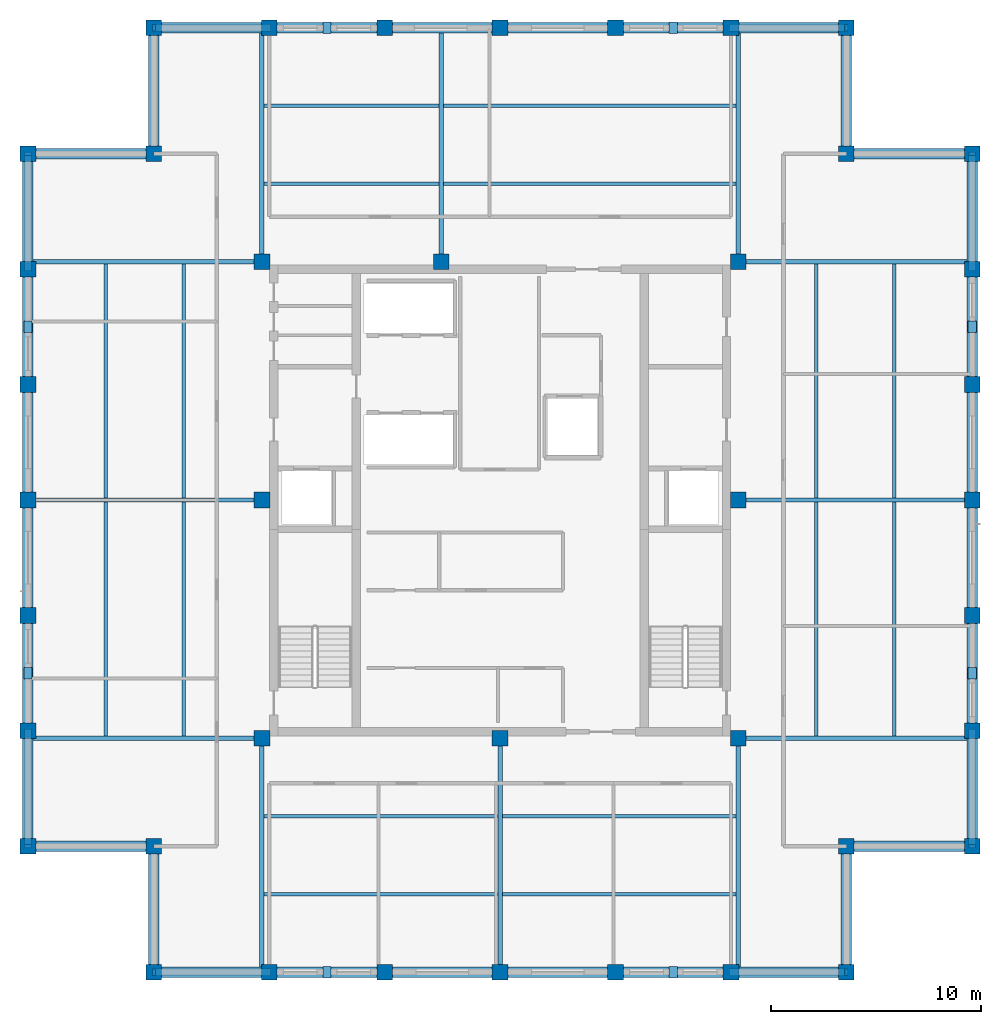
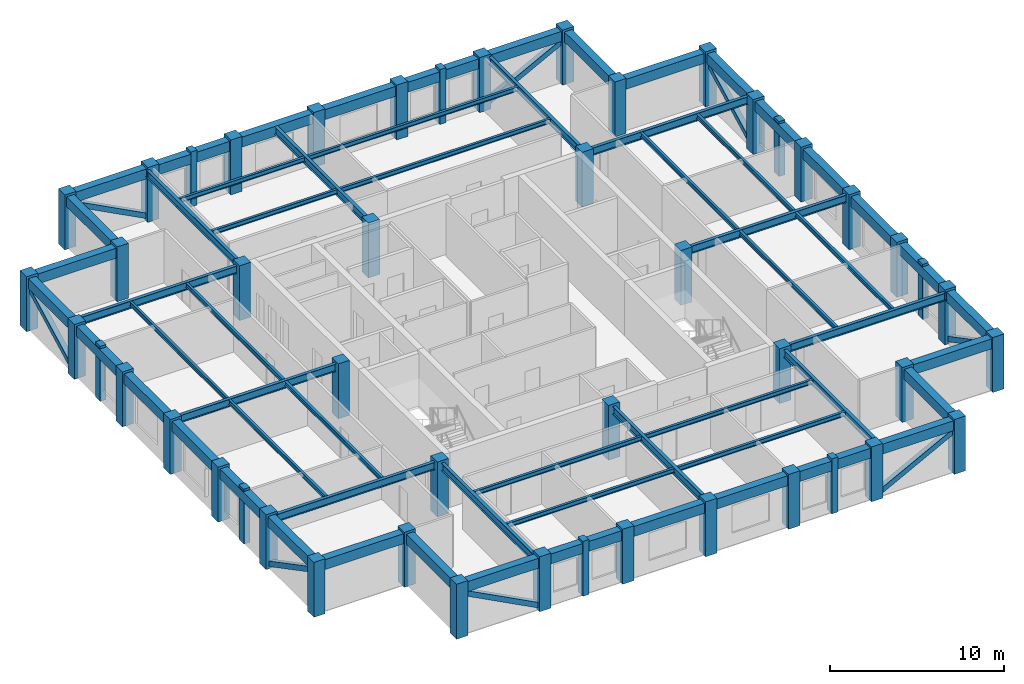
# One storey, part 1 of 9: 60 beams, 40 columns, 16 members.
"""IFC4 building model written with IfcOpenShell, lengths in metres."""

from ifc_helpers import new_model, si_unit, direction, frame, origin, origin_2d, place, context, subcontext, project, spatial, rectangle, hollow_rectangle, i_section, extrude, material, material_profile, profile_set, type_object, element, save


model = new_model("IFC4")

# Units and contexts
model_context = context("Model", 3, precision=1e-05, world=origin(), true_north=direction((0.0, 1.0)))
body_context = subcontext(model_context, "Body", "Model", "MODEL_VIEW")
ifc_project = project(units=[si_unit("LENGTHUNIT", "METRE"), si_unit("AREAUNIT", "SQUARE_METRE"), si_unit("VOLUMEUNIT", "CUBIC_METRE"), si_unit("PLANEANGLEUNIT", "RADIAN"), si_unit("MASSUNIT", "GRAM", prefix="KILO")], contexts=[model_context])

# Site, building, storey
site_placement = place(None, origin())
site = spatial("IfcSite", under=ifc_project, at=site_placement, CompositionType="ELEMENT")
building_placement = place(site_placement, origin())
building = spatial("IfcBuilding", under=site, at=building_placement, Name="Nhamokura Convention Tower", CompositionType="ELEMENT")
storey_placement = place(building_placement, frame((0.0, 0.0, 269.85009765625)))
storey = spatial("IfcBuildingStorey", under=building, at=storey_placement, Name="L66", CompositionType="ELEMENT", Elevation=269.85009765625)

# Columns
ifc_material_1 = material(Name="Concrete C50/60", Category="concrete")
ifc_material_profile_1 = material_profile(ifc_material_1, rectangle(XDim=0.75, YDim=0.75, at=origin_2d()))
ifc_profile_set_1 = profile_set([ifc_material_profile_1], Name="Concrete C50/60")
column_type = type_object("IfcColumnType", Name="TubeColumn_Z4_750", PredefinedType="COLUMN", material=ifc_profile_set_1)
for number, where, z_axis, x_axis, name in (
    (1, (20.64990234375, 20.64990234375, 0.0), (0.0, 0.0, 1.0), (1.0, 0.0, 0.0), "L66 Core Column CC-SW"),
    (2, (32.0, 20.64990234375, 0.0), (0.0, 0.0, 1.0), (1.0, 0.0, 0.0), "L66 Core Column CC-S"),
    (3, (43.35009765625, 20.64990234375, 0.0), (0.0, 0.0, 1.0), (1.0, 0.0, 0.0), "L66 Core Column CC-SE"),
    (4, (43.35009765625, 32.0, 0.0), (0.0, 0.0, 1.0), (1.0, 0.0, 0.0), "L66 Core Column CC-E"),
    (5, (43.35009765625, 43.35009765625, 0.0), (0.0, 0.0, 1.0), (1.0, 0.0, 0.0), "L66 Core Column CC-NE"),
    (6, (29.199951171875, 43.35009765625, 0.0), (0.0, 0.0, 1.0), (1.0, 0.0, 0.0), "L66 Core Column CC-N"),
    (7, (20.64990234375, 43.35009765625, 0.0), (0.0, 0.0, 1.0), (1.0, 0.0, 0.0), "L66 Core Column CC-NW"),
    (8, (20.64990234375, 32.0, 0.0), (0.0, 0.0, 1.0), (1.0, 0.0, 0.0), "L66 Core Column CC-W"),
    (9, (15.5, 9.5, 0.0), (0.0, 0.0, 1.0), (1.0, 0.0, 0.0), "L66 Perimeter Tube Column SW1"),
    (10, (15.5, 15.5, 0.0), (0.0, 0.0, 1.0), (1.0, 0.0, 0.0), "L66 Perimeter Tube Column SW0"),
    (11, (9.5, 15.5, 0.0), (0.0, 0.0, 1.0), (1.0, 0.0, 0.0), "L66 Perimeter Tube Column SW2"),
    (12, (48.5, 9.5, 0.0), (0.0, 0.0, 1.0), (1.0, 0.0, 0.0), "L66 Perimeter Tube Column SE1"),
    (13, (48.5, 15.5, 0.0), (0.0, 0.0, 1.0), (1.0, 0.0, 0.0), "L66 Perimeter Tube Column SE0"),
    (14, (54.5, 15.5, 0.0), (0.0, 0.0, 1.0), (1.0, 0.0, 0.0), "L66 Perimeter Tube Column SE2"),
    (15, (54.5, 48.5, 0.0), (0.0, 0.0, 1.0), (1.0, 0.0, 0.0), "L66 Perimeter Tube Column NE1"),
    (16, (48.5, 48.5, 0.0), (0.0, 0.0, 1.0), (1.0, 0.0, 0.0), "L66 Perimeter Tube Column NE0"),
    (17, (48.5, 54.5, 0.0), (0.0, 0.0, 1.0), (1.0, 0.0, 0.0), "L66 Perimeter Tube Column NE2"),
    (18, (15.5, 54.5, 0.0), (0.0, 0.0, 1.0), (1.0, 0.0, 0.0), "L66 Perimeter Tube Column NW1"),
    (19, (15.5, 48.5, 0.0), (0.0, 0.0, 1.0), (1.0, 0.0, 0.0), "L66 Perimeter Tube Column NW0"),
    (20, (9.5, 48.5, 0.0), (0.0, 0.0, 1.0), (1.0, 0.0, 0.0), "L66 Perimeter Tube Column NW2"),
    (21, (21.0, 9.5, 0.0), (0.0, 0.0, 1.0), (1.0, 0.0, 0.0), "L66 Perimeter Tube Column S1"),
    (22, (21.0, 54.5, 0.0), (0.0, 0.0, 1.0), (1.0, 0.0, 0.0), "L66 Perimeter Tube Column N1"),
    (23, (9.5, 21.0, 0.0), (0.0, 0.0, 1.0), (1.0, 0.0, 0.0), "L66 Perimeter Tube Column W1"),
    (24, (54.5, 21.0, 0.0), (0.0, 0.0, 1.0), (1.0, 0.0, 0.0), "L66 Perimeter Tube Column E1"),
    (25, (26.5, 9.5, 0.0), (0.0, 0.0, 1.0), (1.0, 0.0, 0.0), "L66 Perimeter Tube Column S2"),
    (26, (26.5, 54.5, 0.0), (0.0, 0.0, 1.0), (1.0, 0.0, 0.0), "L66 Perimeter Tube Column N2"),
    (27, (9.5, 26.5, 0.0), (0.0, 0.0, 1.0), (1.0, 0.0, 0.0), "L66 Perimeter Tube Column W2"),
    (28, (54.5, 26.5, 0.0), (0.0, 0.0, 1.0), (1.0, 0.0, 0.0), "L66 Perimeter Tube Column E2"),
    (29, (32.0, 9.5, 0.0), (0.0, 0.0, 1.0), (1.0, 0.0, 0.0), "L66 Perimeter Tube Column S3"),
    (30, (32.0, 54.5, 0.0), (0.0, 0.0, 1.0), (1.0, 0.0, 0.0), "L66 Perimeter Tube Column N3"),
    (31, (9.5, 32.0, 0.0), (0.0, 0.0, 1.0), (1.0, 0.0, 0.0), "L66 Perimeter Tube Column W3"),
    (32, (54.5, 32.0, 0.0), (0.0, 0.0, 1.0), (1.0, 0.0, 0.0), "L66 Perimeter Tube Column E3"),
    (33, (37.5, 9.5, 0.0), (0.0, 0.0, 1.0), (1.0, 0.0, 0.0), "L66 Perimeter Tube Column S4"),
    (34, (37.5, 54.5, 0.0), (0.0, 0.0, 1.0), (1.0, 0.0, 0.0), "L66 Perimeter Tube Column N4"),
    (35, (9.5, 37.5, 0.0), (0.0, 0.0, 1.0), (1.0, 0.0, 0.0), "L66 Perimeter Tube Column W4"),
    (36, (54.5, 37.5, 0.0), (0.0, 0.0, 1.0), (1.0, 0.0, 0.0), "L66 Perimeter Tube Column E4"),
    (37, (43.0, 9.5, 0.0), (0.0, 0.0, 1.0), (1.0, 0.0, 0.0), "L66 Perimeter Tube Column S5"),
    (38, (43.0, 54.5, 0.0), (0.0, 0.0, 1.0), (1.0, 0.0, 0.0), "L66 Perimeter Tube Column N5"),
    (39, (9.5, 43.0, 0.0), (0.0, 0.0, 1.0), (1.0, 0.0, 0.0), "L66 Perimeter Tube Column W5"),
    (40, (54.5, 43.0, 0.0), (0.0, 0.0, 1.0), (1.0, 0.0, 0.0), "L66 Perimeter Tube Column E5"),
):
    element("IfcColumn", number, at=place(storey_placement, frame(where, z_axis=z_axis, x_axis=x_axis)), inside=storey, type_object=column_type, Name=name, PredefinedType="COLUMN", context=body_context, shape_type="SweptSolid", body=[
        extrude(rectangle(XDim=0.75, YDim=0.75, at=origin_2d()), origin(), (0.0, 0.0, 1.0), 3.849853515625),
    ])

# Members
ifc_material_2 = material(Name="Bronze-pigmented precast concrete C45/55", Category="concrete")
ifc_material_profile_2 = material_profile(ifc_material_2, rectangle(XDim=0.39990234375, YDim=0.550048828125, at=origin_2d()))
ifc_profile_set_2 = profile_set([ifc_material_profile_2], Name="Bronze-pigmented precast concrete C45/55")
member_type_1 = type_object("IfcMemberType", Name="BronzePilaster_550", PredefinedType="USERDEFINED", material=ifc_profile_set_2)
for number, where, z_axis, x_axis, name in (
    (41, (23.75, 9.5, 0.0), (0.0, 0.0, 1.0), (1.0, 0.0, 0.0), "L66 Engaged Frame Pilaster SOUTH 1"),
    (42, (40.25, 9.5, 0.0), (0.0, 0.0, 1.0), (1.0, 0.0, 0.0), "L66 Engaged Frame Pilaster SOUTH 4"),
    (43, (23.75, 54.5, 0.0), (0.0, 0.0, 1.0), (1.0, 0.0, 0.0), "L66 Engaged Frame Pilaster NORTH 1"),
    (44, (40.25, 54.5, 0.0), (0.0, 0.0, 1.0), (1.0, 0.0, 0.0), "L66 Engaged Frame Pilaster NORTH 4"),
    (45, (9.5, 23.75, 0.0), (0.0, 0.0, 1.0), (1.0, 0.0, 0.0), "L66 Engaged Frame Pilaster WEST 1"),
    (46, (9.5, 40.25, 0.0), (0.0, 0.0, 1.0), (1.0, 0.0, 0.0), "L66 Engaged Frame Pilaster WEST 4"),
    (47, (54.5, 23.75, 0.0), (0.0, 0.0, 1.0), (1.0, 0.0, 0.0), "L66 Engaged Frame Pilaster EAST 1"),
    (48, (54.5, 40.25, 0.0), (0.0, 0.0, 1.0), (1.0, 0.0, 0.0), "L66 Engaged Frame Pilaster EAST 4"),
):
    element("IfcMember", number, at=place(storey_placement, frame(where, z_axis=z_axis, x_axis=x_axis)), inside=storey, type_object=member_type_1, Name=name, ObjectType="PILASTER_TRIM", PredefinedType="USERDEFINED", context=body_context, shape_type="SweptSolid", body=[
        extrude(rectangle(XDim=0.39990234375, YDim=0.550048828125, at=origin_2d()), origin(), (0.0, 0.0, 1.0), 3.849853515625),
    ])

# Beams
ifc_material_3 = material(Name="Steel ASTM A992 Gr 50", Category="steel")
ifc_material_profile_3 = material_profile(ifc_material_3, i_section(OverallWidth=0.166015625, OverallDepth=0.31298828125, WebThickness=0.006591796875, FlangeThickness=0.01123046875, at=origin_2d()))
ifc_profile_set_3 = profile_set([ifc_material_profile_3], Name="Steel ASTM A992 Gr 50")
beam_type_1 = type_object("IfcBeamType", Name="FloorJoist_W310X45", PredefinedType="JOIST", material=ifc_profile_set_3)
for number, where, z_axis, x_axis, name in (
    (49, (20.75244140625, 13.216796875, 3.5283203125), (1.0, 0.0, 0.0), (0.0, 1.0, 0.0), "L66 Composite Floor Joist S1A"),
    (50, (32.1025390625, 13.216796875, 3.5283203125), (1.0, 0.0, 0.0), (0.0, 1.0, 0.0), "L66 Composite Floor Joist S1B"),
    (51, (20.75244140625, 16.933349609375, 3.5283203125), (1.0, 0.0, 0.0), (0.0, 1.0, 0.0), "L66 Composite Floor Joist S2A"),
    (52, (32.1025390625, 16.933349609375, 3.5283203125), (1.0, 0.0, 0.0), (0.0, 1.0, 0.0), "L66 Composite Floor Joist S2B"),
):
    element("IfcBeam", number, at=place(storey_placement, frame(where, z_axis=z_axis, x_axis=x_axis)), inside=storey, type_object=beam_type_1, Name=name, PredefinedType="JOIST", context=body_context, shape_type="SweptSolid", body=[
        extrude(i_section(OverallWidth=0.166015625, OverallDepth=0.31298828125, WebThickness=0.006591796875, FlangeThickness=0.01123046875, at=origin_2d()), origin(), (0.0, 0.0, 1.0), 11.14501953125),
    ])
beam_1_placement = place(storey_placement, frame((20.75244140625, 47.066650390625, 3.5283203125), z_axis=(1.0, 0.0, 0.0), x_axis=(0.0, 1.0, 0.0)))
element("IfcBeam", 53, at=beam_1_placement, inside=storey, type_object=beam_type_1, Name="L66 Composite Floor Joist N1A", PredefinedType="JOIST", context=body_context, shape_type="SweptSolid", body=[
    extrude(i_section(OverallWidth=0.166015625, OverallDepth=0.31298828125, WebThickness=0.006591796875, FlangeThickness=0.01123046875, at=origin_2d()), origin(), (0.0, 0.0, 1.0), 8.344970703125),
])
beam_2_placement = place(storey_placement, frame((29.302490234375, 47.066650390625, 3.5283203125), z_axis=(1.0, 0.0, 0.0), x_axis=(0.0, 1.0, 0.0)))
element("IfcBeam", 54, at=beam_2_placement, inside=storey, type_object=beam_type_1, Name="L66 Composite Floor Joist N1B", PredefinedType="JOIST", context=body_context, shape_type="SweptSolid", body=[
    extrude(i_section(OverallWidth=0.166015625, OverallDepth=0.31298828125, WebThickness=0.006591796875, FlangeThickness=0.01123046875, at=origin_2d()), origin(), (0.0, 0.0, 1.0), 13.945068359375),
])
beam_3_placement = place(storey_placement, frame((20.75244140625, 50.783203125, 3.5283203125), z_axis=(1.0, 0.0, 0.0), x_axis=(0.0, 1.0, 0.0)))
element("IfcBeam", 55, at=beam_3_placement, inside=storey, type_object=beam_type_1, Name="L66 Composite Floor Joist N2A", PredefinedType="JOIST", context=body_context, shape_type="SweptSolid", body=[
    extrude(i_section(OverallWidth=0.166015625, OverallDepth=0.31298828125, WebThickness=0.006591796875, FlangeThickness=0.01123046875, at=origin_2d()), origin(), (0.0, 0.0, 1.0), 8.344970703125),
])
beam_4_placement = place(storey_placement, frame((29.302490234375, 50.783203125, 3.5283203125), z_axis=(1.0, 0.0, 0.0), x_axis=(0.0, 1.0, 0.0)))
element("IfcBeam", 56, at=beam_4_placement, inside=storey, type_object=beam_type_1, Name="L66 Composite Floor Joist N2B", PredefinedType="JOIST", context=body_context, shape_type="SweptSolid", body=[
    extrude(i_section(OverallWidth=0.166015625, OverallDepth=0.31298828125, WebThickness=0.006591796875, FlangeThickness=0.01123046875, at=origin_2d()), origin(), (0.0, 0.0, 1.0), 13.945068359375),
])
for number, where, z_axis, x_axis, name in (
    (57, (13.216796875, 20.75244140625, 3.5283203125), (0.0, 1.0, 0.0), (-1.0, 0.0, 0.0), "L66 Composite Floor Joist W1A"),
    (58, (13.216796875, 32.1025390625, 3.5283203125), (0.0, 1.0, 0.0), (-1.0, 0.0, 0.0), "L66 Composite Floor Joist W1B"),
    (59, (16.933349609375, 20.75244140625, 3.5283203125), (0.0, 1.0, 0.0), (-1.0, 0.0, 0.0), "L66 Composite Floor Joist W2A"),
    (60, (16.933349609375, 32.1025390625, 3.5283203125), (0.0, 1.0, 0.0), (-1.0, 0.0, 0.0), "L66 Composite Floor Joist W2B"),
    (61, (47.066650390625, 20.75244140625, 3.5283203125), (0.0, 1.0, 0.0), (-1.0, 0.0, 0.0), "L66 Composite Floor Joist E1A"),
    (62, (47.066650390625, 32.1025390625, 3.5283203125), (0.0, 1.0, 0.0), (-1.0, 0.0, 0.0), "L66 Composite Floor Joist E1B"),
    (63, (50.783203125, 20.75244140625, 3.5283203125), (0.0, 1.0, 0.0), (-1.0, 0.0, 0.0), "L66 Composite Floor Joist E2A"),
    (64, (50.783203125, 32.1025390625, 3.5283203125), (0.0, 1.0, 0.0), (-1.0, 0.0, 0.0), "L66 Composite Floor Joist E2B"),
):
    element("IfcBeam", number, at=place(storey_placement, frame(where, z_axis=z_axis, x_axis=x_axis)), inside=storey, type_object=beam_type_1, Name=name, PredefinedType="JOIST", context=body_context, shape_type="SweptSolid", body=[
        extrude(i_section(OverallWidth=0.166015625, OverallDepth=0.31298828125, WebThickness=0.006591796875, FlangeThickness=0.01123046875, at=origin_2d()), origin(), (0.0, 0.0, 1.0), 11.14501953125),
    ])
ifc_material_4 = material(Name="Steel ASTM A992 Gr 50", Category="steel")
ifc_material_profile_4 = material_profile(ifc_material_4, i_section(OverallWidth=0.208984375, OverallDepth=0.532958984375, WebThickness=0.01025390625, FlangeThickness=0.015625, at=origin_2d()))
ifc_profile_set_4 = profile_set([ifc_material_profile_4], Name="Steel ASTM A992 Gr 50")
beam_type_2 = type_object("IfcBeamType", Name="PrimaryGirder_W530X92", PredefinedType="BEAM", material=ifc_profile_set_4)
for number, where, z_axis, x_axis, name in (
    (65, (20.64990234375, 9.5, 3.41845703125), (0.0, 1.0, 0.0), (-1.0, 0.0, 0.0), "L66 Primary Floor Girder PG-S1"),
    (66, (32.0, 9.5, 3.41845703125), (0.0, 1.0, 0.0), (-1.0, 0.0, 0.0), "L66 Primary Floor Girder PG-S2"),
    (67, (43.35009765625, 9.5, 3.41845703125), (0.0, 1.0, 0.0), (-1.0, 0.0, 0.0), "L66 Primary Floor Girder PG-S3"),
    (68, (20.64990234375, 43.35009765625, 3.41845703125), (0.0, 1.0, 0.0), (-1.0, 0.0, 0.0), "L66 Primary Floor Girder PG-N1"),
    (69, (29.199951171875, 43.35009765625, 3.41845703125), (0.0, 1.0, 0.0), (-1.0, 0.0, 0.0), "L66 Primary Floor Girder PG-N2"),
    (70, (43.35009765625, 43.35009765625, 3.41845703125), (0.0, 1.0, 0.0), (-1.0, 0.0, 0.0), "L66 Primary Floor Girder PG-N3"),
    (71, (9.5, 20.64990234375, 3.41845703125), (1.0, 0.0, 0.0), (0.0, 1.0, 0.0), "L66 Primary Floor Girder PG-W1"),
    (72, (9.5, 32.0, 3.41845703125), (1.0, 0.0, 0.0), (0.0, 1.0, 0.0), "L66 Primary Floor Girder PG-W2"),
    (73, (9.5, 43.35009765625, 3.41845703125), (1.0, 0.0, 0.0), (0.0, 1.0, 0.0), "L66 Primary Floor Girder PG-W3"),
    (74, (43.35009765625, 20.64990234375, 3.41845703125), (1.0, 0.0, 0.0), (0.0, 1.0, 0.0), "L66 Primary Floor Girder PG-E1"),
    (75, (43.35009765625, 32.0, 3.41845703125), (1.0, 0.0, 0.0), (0.0, 1.0, 0.0), "L66 Primary Floor Girder PG-E2"),
    (76, (43.35009765625, 43.35009765625, 3.41845703125), (1.0, 0.0, 0.0), (0.0, 1.0, 0.0), "L66 Primary Floor Girder PG-E3"),
):
    element("IfcBeam", number, at=place(storey_placement, frame(where, z_axis=z_axis, x_axis=x_axis)), inside=storey, type_object=beam_type_2, Name=name, PredefinedType="BEAM", context=body_context, shape_type="SweptSolid", body=[
        extrude(i_section(OverallWidth=0.208984375, OverallDepth=0.532958984375, WebThickness=0.01025390625, FlangeThickness=0.015625, at=origin_2d()), origin(), (0.0, 0.0, 1.0), 11.14990234375),
    ])

# Members
ifc_material_5 = material(Name="Steel ASTM A572 Gr 50", Category="steel")
ifc_material_profile_5 = material_profile(ifc_material_5, hollow_rectangle(XDim=0.35009765625, YDim=0.35009765625, WallThickness=0.01611328125, at=origin_2d()))
ifc_profile_set_5 = profile_set([ifc_material_profile_5], Name="Steel ASTM A572 Gr 50")
member_type_2 = type_object("IfcMemberType", Name="TubeBrace_HSS350", PredefinedType="BRACE", material=ifc_profile_set_5)
for number, where, z_axis, x_axis, name in (
    (77, (21.0, 9.5, 0.14990234375), (-0.885562865764, 0.0, 0.464519548328), (0.0, -1.0, 0.0), "L66 Perimeter Tube Brace SOUTH Bay 0"),
    (78, (43.0, 9.5, 0.14990234375), (0.885562865764, 0.0, 0.464519548328), (0.0, 1.0, 0.0), "L66 Perimeter Tube Brace SOUTH Bay 5"),
    (79, (21.0, 54.5, 0.14990234375), (-0.885562865764, 0.0, 0.464519548328), (0.0, -1.0, 0.0), "L66 Perimeter Tube Brace NORTH Bay 0"),
    (80, (43.0, 54.5, 0.14990234375), (0.885562865764, 0.0, 0.464519548328), (0.0, 1.0, 0.0), "L66 Perimeter Tube Brace NORTH Bay 5"),
    (81, (9.5, 21.0, 0.14990234375), (0.0, -0.885562865764, 0.464519548328), (1.0, 0.0, 0.0), "L66 Perimeter Tube Brace WEST Bay 0"),
    (82, (9.5, 43.0, 0.14990234375), (0.0, 0.885562865764, 0.464519548328), (-1.0, 0.0, 0.0), "L66 Perimeter Tube Brace WEST Bay 5"),
    (83, (54.5, 21.0, 0.14990234375), (0.0, -0.885562865764, 0.464519548328), (1.0, 0.0, 0.0), "L66 Perimeter Tube Brace EAST Bay 0"),
    (84, (54.5, 43.0, 0.14990234375), (0.0, 0.885562865764, 0.464519548328), (-1.0, 0.0, 0.0), "L66 Perimeter Tube Brace EAST Bay 5"),
):
    element("IfcMember", number, at=place(storey_placement, frame(where, z_axis=z_axis, x_axis=x_axis)), inside=storey, type_object=member_type_2, Name=name, PredefinedType="BRACE", context=body_context, shape_type="SweptSolid", body=[
        extrude(hollow_rectangle(XDim=0.35009765625, YDim=0.35009765625, WallThickness=0.01611328125, at=origin_2d()), origin(), (0.0, 0.0, 1.0), 6.210693359375),
    ])

# Beams
ifc_material_6 = material(Name="Concrete C50/60", Category="concrete")
ifc_material_profile_6 = material_profile(ifc_material_6, rectangle(XDim=0.5, YDim=0.699951171875, at=origin_2d()))
ifc_profile_set_6 = profile_set([ifc_material_profile_6], Name="Concrete C50/60")
beam_type_3 = type_object("IfcBeamType", Name="TubeSpandrel_700", PredefinedType="SPANDREL", material=ifc_profile_set_6)
for number, where, z_axis, x_axis, name in (
    (85, (15.5, 9.5, 3.3349609375), (1.0, 0.0, 0.0), (0.0, 1.0, 0.0), "L66 Perimeter Spandrel SOUTH 1"),
    (86, (21.0, 9.5, 3.3349609375), (1.0, 0.0, 0.0), (0.0, 1.0, 0.0), "L66 Perimeter Spandrel SOUTH 2"),
    (87, (26.5, 9.5, 3.3349609375), (1.0, 0.0, 0.0), (0.0, 1.0, 0.0), "L66 Perimeter Spandrel SOUTH 3"),
    (88, (32.0, 9.5, 3.3349609375), (1.0, 0.0, 0.0), (0.0, 1.0, 0.0), "L66 Perimeter Spandrel SOUTH 4"),
    (89, (37.5, 9.5, 3.3349609375), (1.0, 0.0, 0.0), (0.0, 1.0, 0.0), "L66 Perimeter Spandrel SOUTH 5"),
    (90, (43.0, 9.5, 3.3349609375), (1.0, 0.0, 0.0), (0.0, 1.0, 0.0), "L66 Perimeter Spandrel SOUTH 6"),
    (91, (15.5, 54.5, 3.3349609375), (1.0, 0.0, 0.0), (0.0, 1.0, 0.0), "L66 Perimeter Spandrel NORTH 1"),
    (92, (21.0, 54.5, 3.3349609375), (1.0, 0.0, 0.0), (0.0, 1.0, 0.0), "L66 Perimeter Spandrel NORTH 2"),
    (93, (26.5, 54.5, 3.3349609375), (1.0, 0.0, 0.0), (0.0, 1.0, 0.0), "L66 Perimeter Spandrel NORTH 3"),
    (94, (32.0, 54.5, 3.3349609375), (1.0, 0.0, 0.0), (0.0, 1.0, 0.0), "L66 Perimeter Spandrel NORTH 4"),
    (95, (37.5, 54.5, 3.3349609375), (1.0, 0.0, 0.0), (0.0, 1.0, 0.0), "L66 Perimeter Spandrel NORTH 5"),
    (96, (43.0, 54.5, 3.3349609375), (1.0, 0.0, 0.0), (0.0, 1.0, 0.0), "L66 Perimeter Spandrel NORTH 6"),
    (97, (9.5, 15.5, 3.3349609375), (0.0, 1.0, 0.0), (-1.0, 0.0, 0.0), "L66 Perimeter Spandrel WEST 1"),
    (98, (9.5, 21.0, 3.3349609375), (0.0, 1.0, 0.0), (-1.0, 0.0, 0.0), "L66 Perimeter Spandrel WEST 2"),
    (99, (9.5, 26.5, 3.3349609375), (0.0, 1.0, 0.0), (-1.0, 0.0, 0.0), "L66 Perimeter Spandrel WEST 3"),
    (100, (9.5, 32.0, 3.3349609375), (0.0, 1.0, 0.0), (-1.0, 0.0, 0.0), "L66 Perimeter Spandrel WEST 4"),
    (101, (9.5, 37.5, 3.3349609375), (0.0, 1.0, 0.0), (-1.0, 0.0, 0.0), "L66 Perimeter Spandrel WEST 5"),
    (102, (9.5, 43.0, 3.3349609375), (0.0, 1.0, 0.0), (-1.0, 0.0, 0.0), "L66 Perimeter Spandrel WEST 6"),
    (103, (54.5, 15.5, 3.3349609375), (0.0, 1.0, 0.0), (-1.0, 0.0, 0.0), "L66 Perimeter Spandrel EAST 1"),
    (104, (54.5, 21.0, 3.3349609375), (0.0, 1.0, 0.0), (-1.0, 0.0, 0.0), "L66 Perimeter Spandrel EAST 2"),
    (105, (54.5, 26.5, 3.3349609375), (0.0, 1.0, 0.0), (-1.0, 0.0, 0.0), "L66 Perimeter Spandrel EAST 3"),
    (106, (54.5, 32.0, 3.3349609375), (0.0, 1.0, 0.0), (-1.0, 0.0, 0.0), "L66 Perimeter Spandrel EAST 4"),
    (107, (54.5, 37.5, 3.3349609375), (0.0, 1.0, 0.0), (-1.0, 0.0, 0.0), "L66 Perimeter Spandrel EAST 5"),
    (108, (54.5, 43.0, 3.3349609375), (0.0, 1.0, 0.0), (-1.0, 0.0, 0.0), "L66 Perimeter Spandrel EAST 6"),
):
    element("IfcBeam", number, at=place(storey_placement, frame(where, z_axis=z_axis, x_axis=x_axis)), inside=storey, type_object=beam_type_3, Name=name, PredefinedType="SPANDREL", context=body_context, shape_type="SweptSolid", body=[
        extrude(rectangle(XDim=0.5, YDim=0.699951171875, at=origin_2d()), origin(), (0.0, 0.0, 1.0), 5.5),
    ])
for number, where, z_axis, x_axis, name in (
    (109, (15.5, 9.5, 3.3349609375), (0.0, 1.0, 0.0), (-1.0, 0.0, 0.0), "L66 Notch Spandrel SW1"),
    (110, (15.5, 15.5, 3.3349609375), (-1.0, 0.0, 0.0), (0.0, -1.0, 0.0), "L66 Notch Spandrel SW2"),
    (111, (48.5, 9.5, 3.3349609375), (0.0, 1.0, 0.0), (-1.0, 0.0, 0.0), "L66 Notch Spandrel SE1"),
    (112, (48.5, 15.5, 3.3349609375), (1.0, 0.0, 0.0), (0.0, 1.0, 0.0), "L66 Notch Spandrel SE2"),
    (113, (54.5, 48.5, 3.3349609375), (-1.0, 0.0, 0.0), (0.0, -1.0, 0.0), "L66 Notch Spandrel NE1"),
    (114, (48.5, 48.5, 3.3349609375), (0.0, 1.0, 0.0), (-1.0, 0.0, 0.0), "L66 Notch Spandrel NE2"),
    (115, (15.5, 54.5, 3.3349609375), (0.0, -1.0, 0.0), (1.0, 0.0, 0.0), "L66 Notch Spandrel NW1"),
    (116, (15.5, 48.5, 3.3349609375), (-1.0, 0.0, 0.0), (0.0, -1.0, 0.0), "L66 Notch Spandrel NW2"),
):
    element("IfcBeam", number, at=place(storey_placement, frame(where, z_axis=z_axis, x_axis=x_axis)), inside=storey, type_object=beam_type_3, Name=name, PredefinedType="SPANDREL", context=body_context, shape_type="SweptSolid", body=[
        extrude(rectangle(XDim=0.5, YDim=0.699951171875, at=origin_2d()), origin(), (0.0, 0.0, 1.0), 6.0),
    ])

save(model, "model.ifc")
